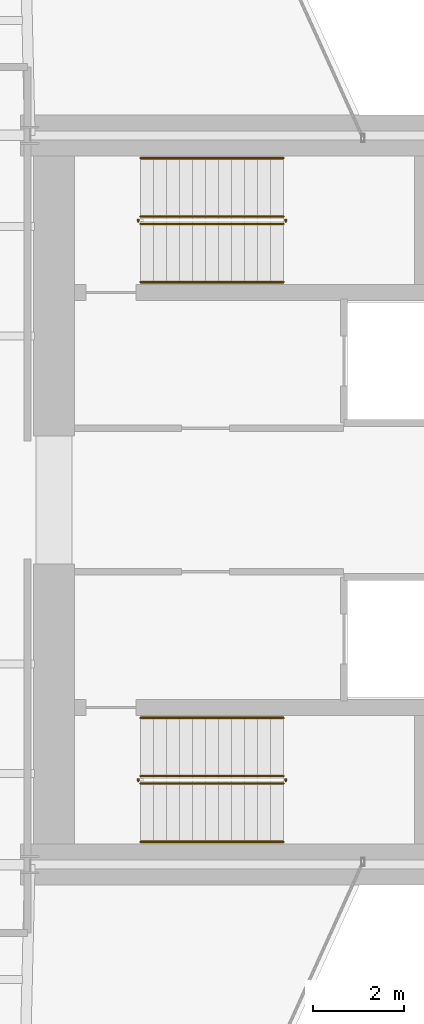
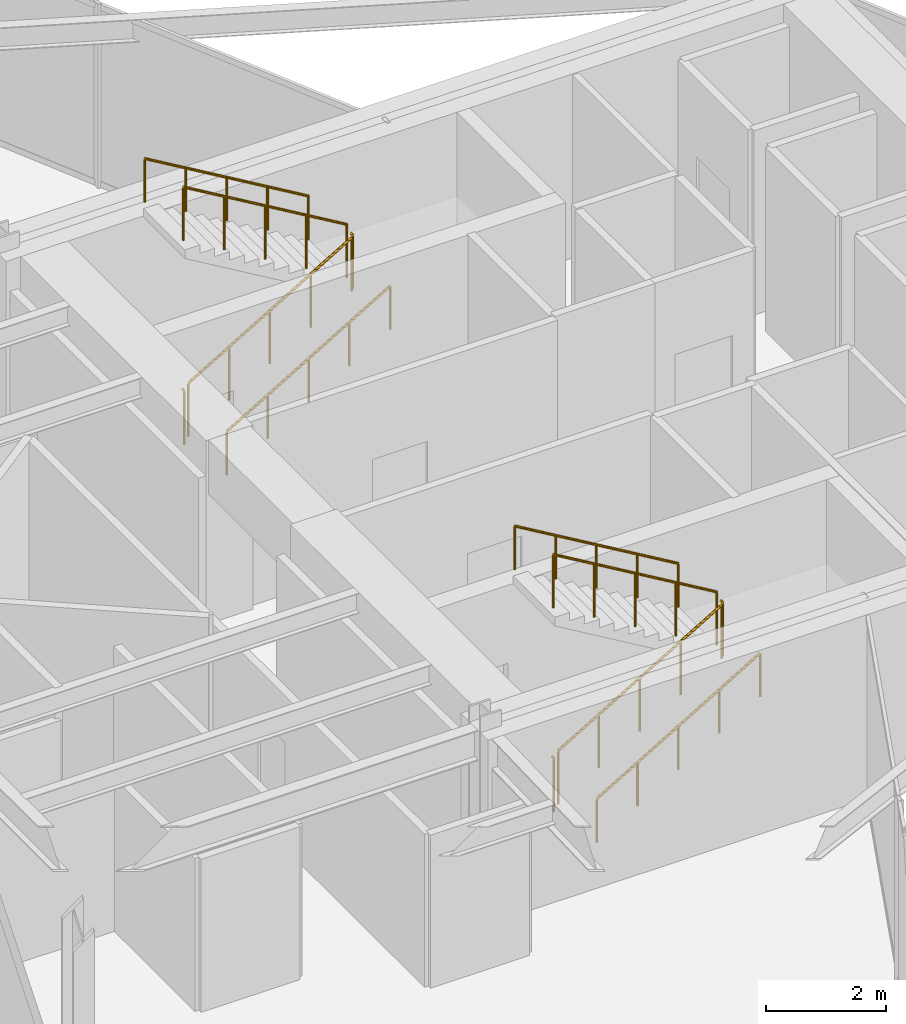
# One storey, part 25 of 25: 12 railings.
"""IFC4 building model written with IfcOpenShell, lengths in metres."""

from ifc_helpers import new_model, si_unit, direction, frame, origin, origin_2d, place, context, subcontext, project, spatial, circle, extrude, material, type_object, element, save


model = new_model("IFC4")

# Units and contexts
model_context = context("Model", 3, precision=1e-05, world=origin(), true_north=direction((0.0, 1.0)))
body_context = subcontext(model_context, "Body", "Model", "MODEL_VIEW")
ifc_project = project(units=[si_unit("LENGTHUNIT", "METRE"), si_unit("AREAUNIT", "SQUARE_METRE"), si_unit("VOLUMEUNIT", "CUBIC_METRE"), si_unit("PLANEANGLEUNIT", "RADIAN"), si_unit("MASSUNIT", "GRAM", prefix="KILO")], contexts=[model_context])

# Site, building, storey
site_placement = place(None, origin())
site = spatial("IfcSite", under=ifc_project, at=site_placement, CompositionType="ELEMENT")
building_placement = place(site_placement, origin())
building = spatial("IfcBuilding", under=site, at=building_placement, Name="Veymaron Broadcast Tower", CompositionType="ELEMENT")
storey_placement = place(building_placement, frame((0.0, 0.0, 102.60009765625)))
storey = spatial("IfcBuildingStorey", under=building, at=storey_placement, Name="L23", CompositionType="ELEMENT", Elevation=102.60009765625)

# Railings
ifc_material_1 = material(Name="Brushed stainless steel AISI 304", Category="steel")
railing_type_1 = type_object("IfcRailingType", Name="RAIL-STAIR-HR", PredefinedType="HANDRAIL", material=ifc_material_1)
railing_1_placement = place(storey_placement, frame((41.429931640625, 28.780029296875, 0.168701171875)))
element("IfcRailing", 1, at=railing_1_placement, inside=storey, type_object=railing_type_1, Name="L23 ST1 stair handrail 1", PredefinedType="HANDRAIL", context=body_context, shape_type="SweptSolid", body=[
    extrude(circle(Radius=0.02392578125, at=origin_2d()), frame((0.0, 0.0, 0.8759765625), z_axis=(0.860481960309, 0.0, 0.509480908359), x_axis=(0.0, 1.0, 0.0)), (0.0, 0.0, 1.0), 3.643310546875),
    extrude(circle(Radius=0.02099609375, at=origin_2d()), origin(), (0.0, 0.0, 1.0), 0.851806640625),
    extrude(circle(Radius=0.02099609375, at=origin_2d()), frame((0.78369140625, 0.0, 0.464111328125)), (0.0, 0.0, 1.0), 0.851806640625),
    extrude(circle(Radius=0.02099609375, at=origin_2d()), frame((1.5673828125, 0.0, 0.92822265625)), (0.0, 0.0, 1.0), 0.851806640625),
    extrude(circle(Radius=0.02099609375, at=origin_2d()), frame((2.351318359375, 0.0, 1.39208984375)), (0.0, 0.0, 1.0), 0.851806640625),
    extrude(circle(Radius=0.02099609375, at=origin_2d()), frame((3.135009765625, 0.0, 1.856201171875)), (0.0, 0.0, 1.0), 0.851806640625),
])
railing_2_placement = place(storey_placement, frame((44.56494140625, 31.5, 2.193603515625)))
element("IfcRailing", 2, at=railing_2_placement, inside=storey, type_object=railing_type_1, Name="L23 ST1 stair handrail 2", PredefinedType="HANDRAIL", context=body_context, shape_type="SweptSolid", body=[
    extrude(circle(Radius=0.02392578125, at=origin_2d()), frame((0.0, 0.0, 0.8759765625), z_axis=(-0.860481960309, 0.0, 0.509480908359), x_axis=(0.0, -1.0, 0.0)), (0.0, 0.0, 1.0), 3.643310546875),
    extrude(circle(Radius=0.02099609375, at=origin_2d()), origin(), (0.0, 0.0, 1.0), 0.851806640625),
    extrude(circle(Radius=0.02099609375, at=origin_2d()), frame((-0.78369140625, 0.0, 0.464111328125)), (0.0, 0.0, 1.0), 0.851806640625),
    extrude(circle(Radius=0.02099609375, at=origin_2d()), frame((-1.5673828125, 0.0, 0.92822265625)), (0.0, 0.0, 1.0), 0.851806640625),
    extrude(circle(Radius=0.02099609375, at=origin_2d()), frame((-2.351318359375, 0.0, 1.39208984375)), (0.0, 0.0, 1.0), 0.851806640625),
    extrude(circle(Radius=0.02099609375, at=origin_2d()), frame((-3.135009765625, 0.0, 1.856201171875)), (0.0, 0.0, 1.0), 0.851806640625),
])
railing_3_placement = place(storey_placement, frame((41.429931640625, 16.5, 0.168701171875)))
element("IfcRailing", 3, at=railing_3_placement, inside=storey, type_object=railing_type_1, Name="L23 ST2 stair handrail 1", PredefinedType="HANDRAIL", context=body_context, shape_type="SweptSolid", body=[
    extrude(circle(Radius=0.02392578125, at=origin_2d()), frame((0.0, 0.0, 0.8759765625), z_axis=(0.860481960309, 0.0, 0.509480908359), x_axis=(0.0, 1.0, 0.0)), (0.0, 0.0, 1.0), 3.643310546875),
    extrude(circle(Radius=0.02099609375, at=origin_2d()), origin(), (0.0, 0.0, 1.0), 0.851806640625),
    extrude(circle(Radius=0.02099609375, at=origin_2d()), frame((0.78369140625, 0.0, 0.464111328125)), (0.0, 0.0, 1.0), 0.851806640625),
    extrude(circle(Radius=0.02099609375, at=origin_2d()), frame((1.5673828125, 0.0, 0.92822265625)), (0.0, 0.0, 1.0), 0.851806640625),
    extrude(circle(Radius=0.02099609375, at=origin_2d()), frame((2.351318359375, 0.0, 1.39208984375)), (0.0, 0.0, 1.0), 0.851806640625),
    extrude(circle(Radius=0.02099609375, at=origin_2d()), frame((3.135009765625, 0.0, 1.856201171875)), (0.0, 0.0, 1.0), 0.851806640625),
])
railing_4_placement = place(storey_placement, frame((44.56494140625, 19.219970703125, 2.193603515625)))
element("IfcRailing", 4, at=railing_4_placement, inside=storey, type_object=railing_type_1, Name="L23 ST2 stair handrail 2", PredefinedType="HANDRAIL", context=body_context, shape_type="SweptSolid", body=[
    extrude(circle(Radius=0.02392578125, at=origin_2d()), frame((0.0, 0.0, 0.8759765625), z_axis=(-0.860481960309, 0.0, 0.509480908359), x_axis=(0.0, -1.0, 0.0)), (0.0, 0.0, 1.0), 3.643310546875),
    extrude(circle(Radius=0.02099609375, at=origin_2d()), origin(), (0.0, 0.0, 1.0), 0.851806640625),
    extrude(circle(Radius=0.02099609375, at=origin_2d()), frame((-0.78369140625, 0.0, 0.464111328125)), (0.0, 0.0, 1.0), 0.851806640625),
    extrude(circle(Radius=0.02099609375, at=origin_2d()), frame((-1.5673828125, 0.0, 0.92822265625)), (0.0, 0.0, 1.0), 0.851806640625),
    extrude(circle(Radius=0.02099609375, at=origin_2d()), frame((-2.351318359375, 0.0, 1.39208984375)), (0.0, 0.0, 1.0), 0.851806640625),
    extrude(circle(Radius=0.02099609375, at=origin_2d()), frame((-3.135009765625, 0.0, 1.856201171875)), (0.0, 0.0, 1.0), 0.851806640625),
])
ifc_material_2 = material(Name="Painted galvanized steel balustrade", Category="steel")
railing_type_2 = type_object("IfcRailingType", Name="RAIL-WELL-GRD", PredefinedType="GUARDRAIL", material=ifc_material_2)
railing_5_placement = place(storey_placement, frame((41.429931640625, 30.06005859375, 0.168701171875)))
element("IfcRailing", 5, at=railing_5_placement, inside=storey, type_object=railing_type_2, Name="L23 ST1 stair guard 1", PredefinedType="GUARDRAIL", context=body_context, shape_type="SweptSolid", body=[
    extrude(circle(Radius=0.02392578125, at=origin_2d()), frame((0.0, 0.0, 1.076171875), z_axis=(0.860481960309, 0.0, 0.509480908359), x_axis=(0.0, 1.0, 0.0)), (0.0, 0.0, 1.0), 3.643310546875),
    extrude(circle(Radius=0.02099609375, at=origin_2d()), origin(), (0.0, 0.0, 1.0), 1.052001953125),
    extrude(circle(Radius=0.02099609375, at=origin_2d()), frame((0.78369140625, 0.0, 0.464111328125)), (0.0, 0.0, 1.0), 1.052001953125),
    extrude(circle(Radius=0.02099609375, at=origin_2d()), frame((1.5673828125, 0.0, 0.92822265625)), (0.0, 0.0, 1.0), 1.052001953125),
    extrude(circle(Radius=0.02099609375, at=origin_2d()), frame((2.351318359375, 0.0, 1.39208984375)), (0.0, 0.0, 1.0), 1.052001953125),
    extrude(circle(Radius=0.02099609375, at=origin_2d()), frame((3.135009765625, 0.0, 1.856201171875)), (0.0, 0.0, 1.0), 1.052001953125),
])
railing_6_placement = place(storey_placement, frame((44.614990234375, 30.110107421875, 2.02490234375)))
element("IfcRailing", 6, at=railing_6_placement, inside=storey, type_object=railing_type_2, Name="L23 ST1 stair guard 2", PredefinedType="GUARDRAIL", context=body_context, shape_type="SweptSolid", body=[
    extrude(circle(Radius=0.02392578125, at=origin_2d()), frame((0.0, 0.0, 1.076171875), z_axis=(0.0, 1.0, 0.0), x_axis=(-1.0, 0.0, 0.0)), (0.0, 0.0, 1.0), 0.059814453125),
    extrude(circle(Radius=0.02099609375, at=origin_2d()), origin(), (0.0, 0.0, 1.0), 1.052001953125),
])
railing_7_placement = place(storey_placement, frame((44.56494140625, 30.219970703125, 2.193603515625)))
element("IfcRailing", 7, at=railing_7_placement, inside=storey, type_object=railing_type_2, Name="L23 ST1 stair guard 3", PredefinedType="GUARDRAIL", context=body_context, shape_type="SweptSolid", body=[
    extrude(circle(Radius=0.02392578125, at=origin_2d()), frame((0.0, 0.0, 1.076171875), z_axis=(-0.860481960309, 0.0, 0.509480908359), x_axis=(0.0, -1.0, 0.0)), (0.0, 0.0, 1.0), 3.643310546875),
    extrude(circle(Radius=0.02099609375, at=origin_2d()), origin(), (0.0, 0.0, 1.0), 1.052001953125),
    extrude(circle(Radius=0.02099609375, at=origin_2d()), frame((-0.78369140625, 0.0, 0.464111328125)), (0.0, 0.0, 1.0), 1.052001953125),
    extrude(circle(Radius=0.02099609375, at=origin_2d()), frame((-1.5673828125, 0.0, 0.92822265625)), (0.0, 0.0, 1.0), 1.052001953125),
    extrude(circle(Radius=0.02099609375, at=origin_2d()), frame((-2.351318359375, 0.0, 1.39208984375)), (0.0, 0.0, 1.0), 1.052001953125),
    extrude(circle(Radius=0.02099609375, at=origin_2d()), frame((-3.135009765625, 0.0, 1.856201171875)), (0.0, 0.0, 1.0), 1.052001953125),
])
railing_8_placement = place(storey_placement, frame((41.3798828125, 30.110107421875, 0.0)))
element("IfcRailing", 8, at=railing_8_placement, inside=storey, type_object=railing_type_2, Name="L23 ST1 stair guard 4", PredefinedType="GUARDRAIL", context=body_context, shape_type="SweptSolid", body=[
    extrude(circle(Radius=0.02392578125, at=origin_2d()), frame((0.0, 0.0, 1.076171875), z_axis=(0.0, 1.0, 0.0), x_axis=(-1.0, 0.0, 0.0)), (0.0, 0.0, 1.0), 0.059814453125),
    extrude(circle(Radius=0.02099609375, at=origin_2d()), origin(), (0.0, 0.0, 1.0), 1.052001953125),
])
railing_9_placement = place(storey_placement, frame((41.429931640625, 17.780029296875, 0.168701171875)))
element("IfcRailing", 9, at=railing_9_placement, inside=storey, type_object=railing_type_2, Name="L23 ST2 stair guard 1", PredefinedType="GUARDRAIL", context=body_context, shape_type="SweptSolid", body=[
    extrude(circle(Radius=0.02392578125, at=origin_2d()), frame((0.0, 0.0, 1.076171875), z_axis=(0.860481960309, 0.0, 0.509480908359), x_axis=(0.0, 1.0, 0.0)), (0.0, 0.0, 1.0), 3.643310546875),
    extrude(circle(Radius=0.02099609375, at=origin_2d()), origin(), (0.0, 0.0, 1.0), 1.052001953125),
    extrude(circle(Radius=0.02099609375, at=origin_2d()), frame((0.78369140625, 0.0, 0.464111328125)), (0.0, 0.0, 1.0), 1.052001953125),
    extrude(circle(Radius=0.02099609375, at=origin_2d()), frame((1.5673828125, 0.0, 0.92822265625)), (0.0, 0.0, 1.0), 1.052001953125),
    extrude(circle(Radius=0.02099609375, at=origin_2d()), frame((2.351318359375, 0.0, 1.39208984375)), (0.0, 0.0, 1.0), 1.052001953125),
    extrude(circle(Radius=0.02099609375, at=origin_2d()), frame((3.135009765625, 0.0, 1.856201171875)), (0.0, 0.0, 1.0), 1.052001953125),
])
railing_10_placement = place(storey_placement, frame((44.614990234375, 17.830078125, 2.02490234375)))
element("IfcRailing", 10, at=railing_10_placement, inside=storey, type_object=railing_type_2, Name="L23 ST2 stair guard 2", PredefinedType="GUARDRAIL", context=body_context, shape_type="SweptSolid", body=[
    extrude(circle(Radius=0.02392578125, at=origin_2d()), frame((0.0, 0.0, 1.076171875), z_axis=(0.0, 1.0, 0.0), x_axis=(-1.0, 0.0, 0.0)), (0.0, 0.0, 1.0), 0.059814453125),
    extrude(circle(Radius=0.02099609375, at=origin_2d()), origin(), (0.0, 0.0, 1.0), 1.052001953125),
])
railing_11_placement = place(storey_placement, frame((44.56494140625, 17.93994140625, 2.193603515625)))
element("IfcRailing", 11, at=railing_11_placement, inside=storey, type_object=railing_type_2, Name="L23 ST2 stair guard 3", PredefinedType="GUARDRAIL", context=body_context, shape_type="SweptSolid", body=[
    extrude(circle(Radius=0.02392578125, at=origin_2d()), frame((0.0, 0.0, 1.076171875), z_axis=(-0.860481960309, 0.0, 0.509480908359), x_axis=(0.0, -1.0, 0.0)), (0.0, 0.0, 1.0), 3.643310546875),
    extrude(circle(Radius=0.02099609375, at=origin_2d()), origin(), (0.0, 0.0, 1.0), 1.052001953125),
    extrude(circle(Radius=0.02099609375, at=origin_2d()), frame((-0.78369140625, 0.0, 0.464111328125)), (0.0, 0.0, 1.0), 1.052001953125),
    extrude(circle(Radius=0.02099609375, at=origin_2d()), frame((-1.5673828125, 0.0, 0.92822265625)), (0.0, 0.0, 1.0), 1.052001953125),
    extrude(circle(Radius=0.02099609375, at=origin_2d()), frame((-2.351318359375, 0.0, 1.39208984375)), (0.0, 0.0, 1.0), 1.052001953125),
    extrude(circle(Radius=0.02099609375, at=origin_2d()), frame((-3.135009765625, 0.0, 1.856201171875)), (0.0, 0.0, 1.0), 1.052001953125),
])
railing_12_placement = place(storey_placement, frame((41.3798828125, 17.830078125, 0.0)))
element("IfcRailing", 12, at=railing_12_placement, inside=storey, type_object=railing_type_2, Name="L23 ST2 stair guard 4", PredefinedType="GUARDRAIL", context=body_context, shape_type="SweptSolid", body=[
    extrude(circle(Radius=0.02392578125, at=origin_2d()), frame((0.0, 0.0, 1.076171875), z_axis=(0.0, 1.0, 0.0), x_axis=(-1.0, 0.0, 0.0)), (0.0, 0.0, 1.0), 0.059814453125),
    extrude(circle(Radius=0.02099609375, at=origin_2d()), origin(), (0.0, 0.0, 1.0), 1.052001953125),
])

save(model, "model.ifc")
